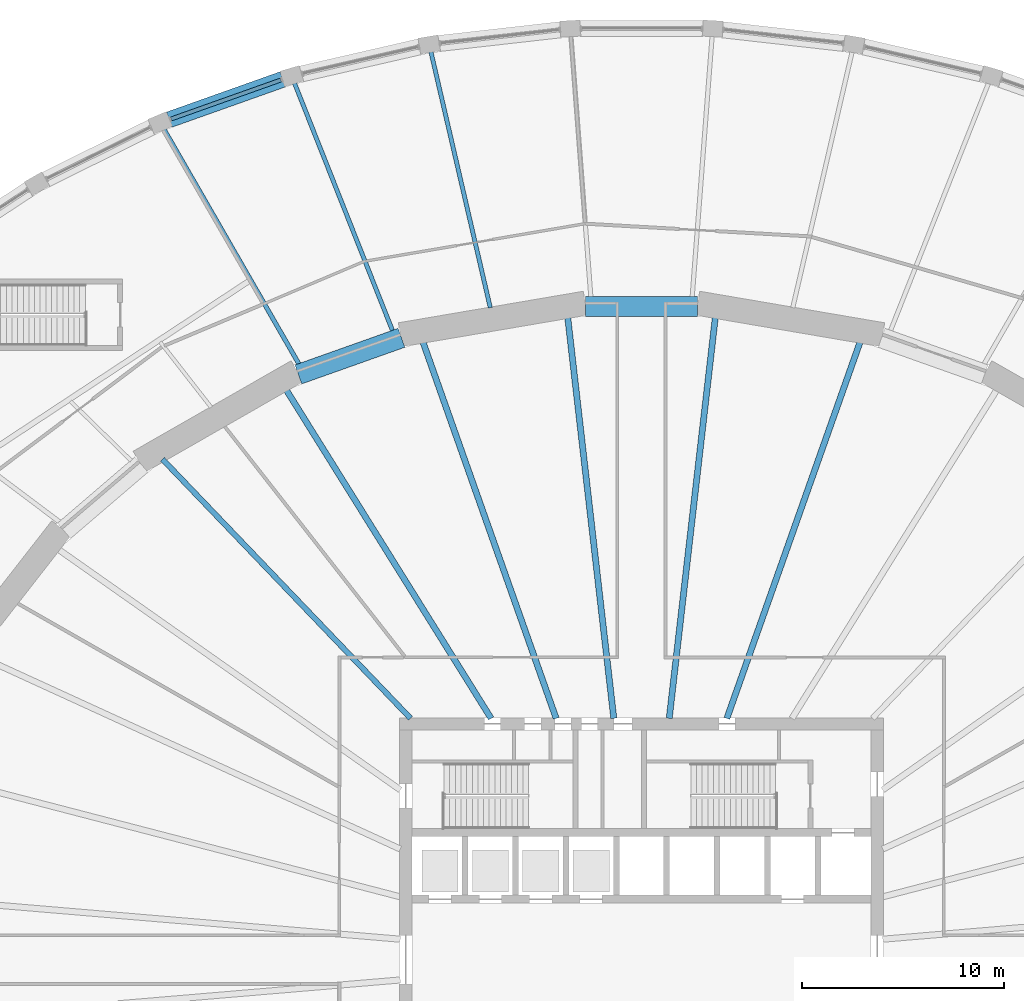
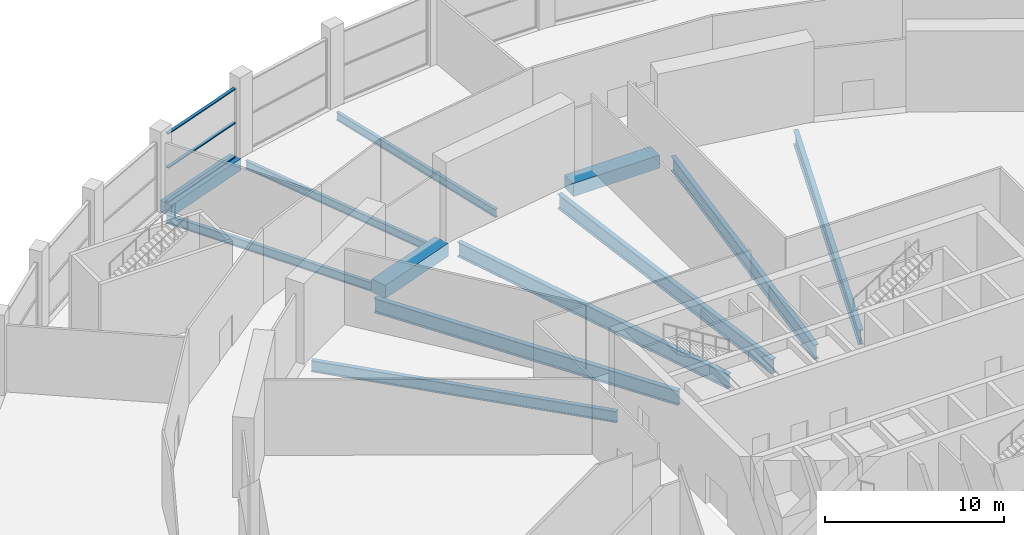
# One storey, part 13 of 29: 12 beams, 3 members, 1 element without a shape of its own.
"""IFC4 building model written with IfcOpenShell, lengths in metres."""

from ifc_helpers import new_model, si_unit, direction, frame, origin, origin_2d, place, context, subcontext, project, spatial, rectangle, i_section, extrude, material, material_profile, profile_set, type_object, element, aggregate, save


model = new_model("IFC4")

# Units and contexts
model_context = context("Model", 3, precision=1e-05, world=origin(), true_north=direction((0.0, 1.0)))
body_context = subcontext(model_context, "Body", "Model", "MODEL_VIEW")
ifc_project = project(units=[si_unit("LENGTHUNIT", "METRE"), si_unit("AREAUNIT", "SQUARE_METRE"), si_unit("VOLUMEUNIT", "CUBIC_METRE"), si_unit("PLANEANGLEUNIT", "RADIAN"), si_unit("MASSUNIT", "GRAM", prefix="KILO")], contexts=[model_context])

# Site, building, storey
site_placement = place(None, origin())
site = spatial("IfcSite", under=ifc_project, at=site_placement, CompositionType="ELEMENT")
building_placement = place(site_placement, origin())
building = spatial("IfcBuilding", under=site, at=building_placement, Name="Halqa Exchange Tower", CompositionType="ELEMENT")
storey_placement = place(building_placement, frame((0.0, 0.0, 12.5)))
storey = spatial("IfcBuildingStorey", under=building, at=storey_placement, Name="L02", CompositionType="ELEMENT", Elevation=12.5)

# Curtain wall, members
ifc_material_1 = material(Name="Anodised aluminium and clear glass", Category="aluminium")
curtain_wall_type = type_object("IfcCurtainWallType", Name="Exchange hall glazing", PredefinedType="NOTDEFINED", material=ifc_material_1)
curtain_wall_placement = place(storey_placement, origin())
curtain_wall = element("IfcCurtainWall", 1, at=curtain_wall_placement, inside=storey, type_object=curtain_wall_type, Name="Exchange hall glazing run P15", PredefinedType="NOTDEFINED")
ifc_material_2 = material(Name="Anodised aluminium", Category="aluminium")
ifc_material_profile_1 = material_profile(ifc_material_2, rectangle(XDim=0.199951171875, YDim=0.070068359375, at=origin_2d()), Name="AL 70x200")
ifc_profile_set_1 = profile_set([ifc_material_profile_1], Name="Anodised aluminium")
member_type = type_object("IfcMemberType", Name="Exchange hall glazing transom 70 x 200", PredefinedType="USERDEFINED", material=ifc_profile_set_1)
member_1_placement = place(storey_placement, frame((-17.894775390625, 43.652099609375, 0.034912109375), z_axis=(-0.942328600126, -0.334689123493, 0.0), x_axis=(0.334689123493, -0.942328600126, 0.0)))
member_1 = element("IfcMember", 2, at=member_1_placement, type_object=member_type, Name="P15 transom 1.1", ObjectType="TRANSOM", PredefinedType="USERDEFINED", context=body_context, shape_type="SweptSolid", body=[
    extrude(rectangle(XDim=0.199951171875, YDim=0.070068359375, at=origin_2d()), origin(), (0.0, 0.0, 1.0), 5.785400390625),
])
member_2_placement = place(storey_placement, frame((-17.894775390625, 43.652099609375, 2.35009765625), z_axis=(-0.942328600126, -0.334689123493, 0.0), x_axis=(0.334689123493, -0.942328600126, 0.0)))
member_2 = element("IfcMember", 3, at=member_2_placement, type_object=member_type, Name="P15 transom 1.2", ObjectType="TRANSOM", PredefinedType="USERDEFINED", context=body_context, shape_type="SweptSolid", body=[
    extrude(rectangle(XDim=0.199951171875, YDim=0.070068359375, at=origin_2d()), origin(), (0.0, 0.0, 1.0), 5.785400390625),
])
member_3_placement = place(storey_placement, frame((-17.894775390625, 43.652099609375, 4.6650390625), z_axis=(-0.942328600126, -0.334689123493, 0.0), x_axis=(0.334689123493, -0.942328600126, 0.0)))
member_3 = element("IfcMember", 4, at=member_3_placement, type_object=member_type, Name="P15 transom 1.3", ObjectType="TRANSOM", PredefinedType="USERDEFINED", context=body_context, shape_type="SweptSolid", body=[
    extrude(rectangle(XDim=0.199951171875, YDim=0.070068359375, at=origin_2d()), origin(), (0.0, 0.0, 1.0), 5.785400390625),
])
aggregate(curtain_wall, [member_1, member_2, member_3])

# Beams
ifc_material_3 = material(Name="Steel S355", Category="steel")
ifc_material_profile_2 = material_profile(ifc_material_3, i_section(OverallWidth=0.300048828125, OverallDepth=0.989990234375, WebThickness=0.0166015625, FlangeThickness=0.031005859375, FilletRadius=0.030029296875, at=origin_2d()), Name="HEA 1000")
ifc_profile_set_2 = profile_set([ifc_material_profile_2], Name="Steel S355")
beam_type_1 = type_object("IfcBeamType", Name="Floor beam HEA 1000", PredefinedType="BEAM", material=ifc_profile_set_2)
beam_1_placement = place(storey_placement, frame((-7.46533203125, 11.971435546875, -0.844970703125), z_axis=(-0.529145823441, 0.848530905468, 0.0), x_axis=(-0.848530905468, -0.529145823441, 0.0)))
element("IfcBeam", 5, at=beam_1_placement, inside=storey, type_object=beam_type_1, Name="Radial beam 11", PredefinedType="BEAM", context=body_context, shape_type="SweptSolid", body=[
    extrude(i_section(OverallWidth=0.300048828125, OverallDepth=0.989990234375, WebThickness=0.0166015625, FlangeThickness=0.031005859375, FilletRadius=0.030029296875, at=origin_2d()), origin(), (0.0, 0.0, 1.0), 19.27294921875),
])
ifc_material_profile_3 = material_profile(ifc_material_3, i_section(OverallWidth=0.300048828125, OverallDepth=1.0, WebThickness=0.01904296875, FlangeThickness=0.035888671875, FilletRadius=0.030029296875, at=origin_2d()), Name="HEB 1000")
ifc_profile_set_3 = profile_set([ifc_material_profile_3], Name="Steel S355")
beam_type_2 = type_object("IfcBeamType", Name="Floor beam HEB 1000", PredefinedType="BEAM", material=ifc_profile_set_3)
beam_2_placement = place(storey_placement, frame((4.23681640625, 11.971923828125, -0.85009765625), z_axis=(0.333633039334, 0.942703025913, 0.0), x_axis=(-0.942703025913, 0.333633039334, 0.0)))
element("IfcBeam", 6, at=beam_2_placement, inside=storey, type_object=beam_type_2, Name="Radial beam 7", PredefinedType="BEAM", context=body_context, shape_type="SweptSolid", body=[
    extrude(i_section(OverallWidth=0.300048828125, OverallDepth=1.0, WebThickness=0.01904296875, FlangeThickness=0.035888671875, FilletRadius=0.030029296875, at=origin_2d()), origin(), (0.0, 0.0, 1.0), 19.885009765625),
])
for number, where, z_axis, x_axis, name in (
    (7, (1.375732421875, 11.972900390625, -0.85009765625), (0.114166838833, 0.99346159106, 0.0), (-0.99346159106, 0.114166838833, 0.0), "Radial beam 8"),
    (8, (-1.375732421875, 11.972900390625, -0.85009765625), (-0.114166838833, 0.99346159106, 0.0), (-0.99346159106, -0.114166838833, 0.0), "Radial beam 9"),
):
    element("IfcBeam", number, at=place(storey_placement, frame(where, z_axis=z_axis, x_axis=x_axis)), inside=storey, type_object=beam_type_2, Name=name, PredefinedType="BEAM", context=body_context, shape_type="SweptSolid", body=[
        extrude(i_section(OverallWidth=0.300048828125, OverallDepth=1.0, WebThickness=0.01904296875, FlangeThickness=0.035888671875, FilletRadius=0.030029296875, at=origin_2d()), origin(), (0.0, 0.0, 1.0), 20.103515625),
    ])
beam_3_placement = place(storey_placement, frame((-4.23681640625, 11.971923828125, -0.85009765625), z_axis=(-0.333633039334, 0.942703025913, 0.0), x_axis=(-0.942703025913, -0.333633039334, 0.0)))
element("IfcBeam", 9, at=beam_3_placement, inside=storey, type_object=beam_type_2, Name="Radial beam 10", PredefinedType="BEAM", context=body_context, shape_type="SweptSolid", body=[
    extrude(i_section(OverallWidth=0.300048828125, OverallDepth=1.0, WebThickness=0.01904296875, FlangeThickness=0.035888671875, FilletRadius=0.030029296875, at=origin_2d()), origin(), (0.0, 0.0, 1.0), 19.885009765625),
])
ifc_material_profile_4 = material_profile(ifc_material_3, i_section(OverallWidth=0.2099609375, OverallDepth=0.550048828125, WebThickness=0.010986328125, FlangeThickness=0.01708984375, FilletRadius=0.02392578125, at=origin_2d()), Name="IPE 550")
ifc_profile_set_4 = profile_set([ifc_material_profile_4], Name="Steel S355")
beam_type_3 = type_object("IfcBeamType", Name="Floor beam IPE 550", PredefinedType="BEAM", material=ifc_profile_set_4)
beam_4_placement = place(storey_placement, frame((-7.5048828125, 32.35009765625, -0.625), z_axis=(-0.2259960959, 0.974128207495, 0.0), x_axis=(-0.974128207495, -0.2259960959, 0.0)))
element("IfcBeam", 10, at=beam_4_placement, inside=storey, type_object=beam_type_3, Name="Radial beam 14", PredefinedType="BEAM", context=body_context, shape_type="SweptSolid", body=[
    extrude(i_section(OverallWidth=0.2099609375, OverallDepth=0.550048828125, WebThickness=0.010986328125, FlangeThickness=0.01708984375, FilletRadius=0.02392578125, at=origin_2d()), origin(), (0.0, 0.0, 1.0), 13.03466796875),
])
beam_5_placement = place(storey_placement, frame((-12.352294921875, 31.2001953125, -0.625), z_axis=(-0.368106640822, 0.929783577497, 0.0), x_axis=(-0.929783577497, -0.368106640822, 0.0)))
element("IfcBeam", 11, at=beam_5_placement, inside=storey, type_object=beam_type_3, Name="Radial beam 15", PredefinedType="BEAM", context=body_context, shape_type="SweptSolid", body=[
    extrude(i_section(OverallWidth=0.2099609375, OverallDepth=0.550048828125, WebThickness=0.010986328125, FlangeThickness=0.01708984375, FilletRadius=0.02392578125, at=origin_2d()), origin(), (0.0, 0.0, 1.0), 13.22412109375),
])
ifc_material_profile_5 = material_profile(ifc_material_3, i_section(OverallWidth=0.219970703125, OverallDepth=0.60009765625, WebThickness=0.011962890625, FlangeThickness=0.01904296875, FilletRadius=0.02392578125, at=origin_2d()), Name="IPE 600")
ifc_profile_set_5 = profile_set([ifc_material_profile_5], Name="Steel S355")
beam_type_4 = type_object("IfcBeamType", Name="Floor beam IPE 600", PredefinedType="BEAM", material=ifc_profile_set_5)
beam_6_placement = place(storey_placement, frame((-16.996826171875, 29.551513671875, -0.64990234375), z_axis=(-0.498570786865, 0.866848989435, 0.0), x_axis=(-0.866848989435, -0.498570786865, 0.0)))
element("IfcBeam", 12, at=beam_6_placement, inside=storey, type_object=beam_type_4, Name="Radial beam 16", PredefinedType="BEAM", context=body_context, shape_type="SweptSolid", body=[
    extrude(i_section(OverallWidth=0.219970703125, OverallDepth=0.60009765625, WebThickness=0.011962890625, FlangeThickness=0.01904296875, FilletRadius=0.02392578125, at=origin_2d()), origin(), (0.0, 0.0, 1.0), 13.438720703125),
])
ifc_material_profile_6 = material_profile(ifc_material_3, i_section(OverallWidth=0.26806640625, OverallDepth=0.77001953125, WebThickness=0.015625, FlangeThickness=0.025390625, FilletRadius=0.01708984375, at=origin_2d()), Name="IPE 750x196")
ifc_profile_set_6 = profile_set([ifc_material_profile_6], Name="Steel S355")
beam_type_5 = type_object("IfcBeamType", Name="Floor beam IPE 750x196", PredefinedType="BEAM", material=ifc_profile_set_6)
beam_7_placement = place(storey_placement, frame((-11.46240234375, 11.9716796875, -0.735107421875), z_axis=(-0.6915763718, 0.722303344841, 0.0), x_axis=(-0.722303344841, -0.6915763718, 0.0)))
element("IfcBeam", 13, at=beam_7_placement, inside=storey, type_object=beam_type_5, Name="Radial beam 12", PredefinedType="BEAM", context=body_context, shape_type="SweptSolid", body=[
    extrude(i_section(OverallWidth=0.26806640625, OverallDepth=0.77001953125, WebThickness=0.015625, FlangeThickness=0.025390625, FilletRadius=0.01708984375, at=origin_2d()), origin(), (0.0, 0.0, 1.0), 17.7978515625),
])
ifc_material_4 = material(Name="Concrete C60/75", Category="concrete")
ifc_material_profile_7 = material_profile(ifc_material_4, rectangle(XDim=0.800048828125, YDim=0.800048828125, at=origin_2d()), Name="800 x 800")
ifc_profile_set_7 = profile_set([ifc_material_profile_7], Name="Concrete C60/75")
beam_type_6 = type_object("IfcBeamType", Name="RC podium edge beam 800 x 800 C60/75", PredefinedType="SPANDREL", material=ifc_profile_set_7)
beam_8_placement = place(storey_placement, frame((-17.802490234375, 43.684814453125, -0.39990234375), z_axis=(-0.942343471221, -0.334647250469, 0.0), x_axis=(0.334647250469, -0.942343471221, 0.0)))
element("IfcBeam", 14, at=beam_8_placement, inside=storey, type_object=beam_type_6, Name="Podium edge beam 15", PredefinedType="SPANDREL", context=body_context, shape_type="SweptSolid", body=[
    extrude(rectangle(XDim=0.800048828125, YDim=0.800048828125, at=origin_2d()), origin(), (0.0, 0.0, 1.0), 5.980712890625),
])
ifc_material_profile_8 = material_profile(ifc_material_4, rectangle(XDim=1.0, YDim=0.89990234375, at=origin_2d()), Name="1000 x 900")
ifc_profile_set_8 = profile_set([ifc_material_profile_8], Name="Concrete C60/75")
beam_type_7 = type_object("IfcBeamType", Name="RC spandrel beam 1000 x 900 C60/75", PredefinedType="SPANDREL", material=ifc_profile_set_8)
beam_9_placement = place(storey_placement, frame((2.789794921875, 32.41455078125, -0.449951171875), z_axis=(-1.0, 0.0, 0.0), x_axis=(0.0, -1.0, 0.0)))
element("IfcBeam", 15, at=beam_9_placement, inside=storey, type_object=beam_type_7, Name="Spandrel 8", PredefinedType="SPANDREL", context=body_context, shape_type="SweptSolid", body=[
    extrude(rectangle(XDim=1.0, YDim=0.89990234375, at=origin_2d()), origin(), (0.0, 0.0, 1.0), 5.57958984375),
])
beam_10_placement = place(storey_placement, frame((-11.9130859375, 30.855712890625, -0.449951171875), z_axis=(-0.942357788657, -0.334606930826, 0.0), x_axis=(0.334606930826, -0.942357788657, 0.0)))
element("IfcBeam", 16, at=beam_10_placement, inside=storey, type_object=beam_type_7, Name="Spandrel 10", PredefinedType="SPANDREL", context=body_context, shape_type="SweptSolid", body=[
    extrude(rectangle(XDim=1.0, YDim=0.89990234375, at=origin_2d()), origin(), (0.0, 0.0, 1.0), 5.429931640625),
])

save(model, "model.ifc")
